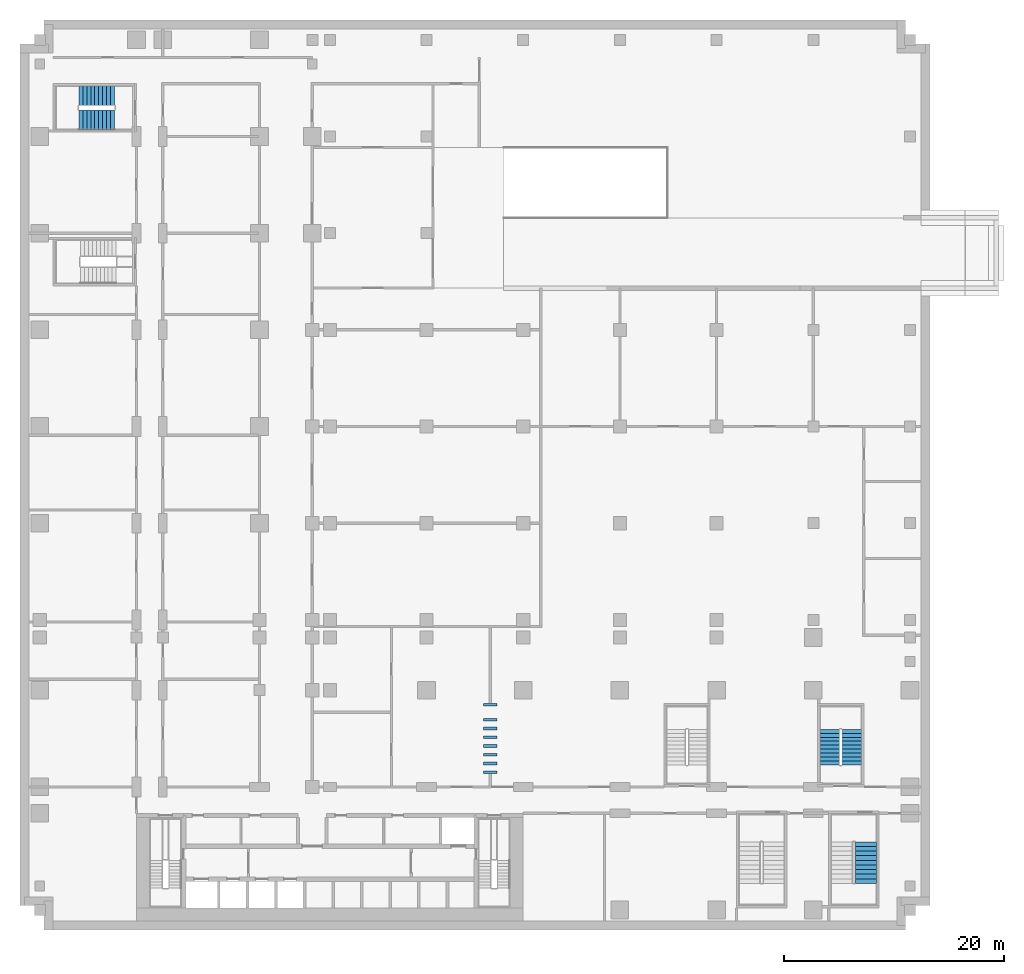
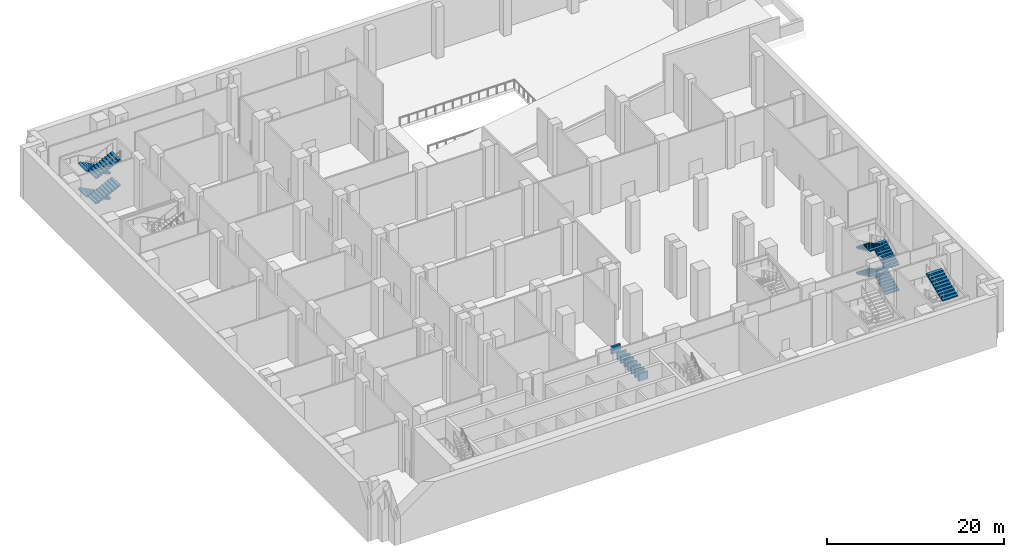
# One storey, part 10 of 15: 9 stair flights, 8 discrete accessories, 3 elements without a shape of their own.
"""IFC4 building model written with IfcOpenShell, lengths in metres."""

from ifc_helpers import new_model, si_unit, direction, frame, origin, origin_2d, place, context, subcontext, project, spatial, polyline, rectangle, outline, extrude, source, transform, mapped, material, type_object, element, aggregate, save


model = new_model("IFC4")

# Units and contexts
model_context = context("Model", 3, precision=1e-05, world=origin(), true_north=direction((0.0, 1.0)))
body_context = subcontext(model_context, "Body", "Model", "MODEL_VIEW")
ifc_project = project(units=[si_unit("LENGTHUNIT", "METRE"), si_unit("AREAUNIT", "SQUARE_METRE"), si_unit("VOLUMEUNIT", "CUBIC_METRE"), si_unit("PLANEANGLEUNIT", "RADIAN"), si_unit("MASSUNIT", "GRAM", prefix="KILO")], contexts=[model_context])

# Site, building, storey
site_placement = place(None, origin())
site = spatial("IfcSite", under=ifc_project, at=site_placement, CompositionType="ELEMENT")
building_placement = place(site_placement, origin())
building = spatial("IfcBuilding", under=site, at=building_placement, Name="Kemantara Hotel Tower", CompositionType="ELEMENT")
storey_placement = place(building_placement, frame((0.0, 0.0, -7.0)))
storey = spatial("IfcBuildingStorey", under=building, at=storey_placement, Name="B1", CompositionType="ELEMENT", Elevation=-7.0)

# Stair, stair flights
ifc_material_1 = material(Name="Concrete fc 40 MPa", Category="concrete")
stair_type_1 = type_object("IfcStairType", Name="Stair 1800 wide 40 risers of 175 x 360 mm", PredefinedType="HALF_TURN_STAIR", material=ifc_material_1)
stair_1_placement = place(storey_placement, origin())
stair_1 = element("IfcStair", 1, at=stair_1_placement, inside=storey, type_object=stair_type_1, Name="B1 Exit stair ST5", PredefinedType="HALF_TURN_STAIR")
stair_flight_type_1 = type_object("IfcStairFlightType", Name="Stair flight 1800 wide 175 x 360 mm", PredefinedType="STRAIGHT", material=ifc_material_1)
stair_flight_1_placement = place(storey_placement, frame((74.89990234375, 14.199951171875, 0.0), z_axis=(0.0, 0.0, 1.0), x_axis=(0.0, 1.0, 0.0)))
stair_flight_1 = element("IfcStairFlight", 2, at=stair_flight_1_placement, type_object=stair_flight_type_1, Name="ST5 flight 1", NumberOfRisers=10, NumberOfTreads=9, PredefinedType="STRAIGHT", RiserHeight=0.175, TreadLength=0.36, context=body_context, shape_type="SweptSolid", body=[
    extrude(outline(polyline([(0.0, 0.0), (0.0, 0.175048828125), (0.360107421875, 0.175048828125), (0.360107421875, 0.35009765625), (0.719970703125, 0.35009765625), (0.719970703125, 0.52490234375), (1.080078125, 0.52490234375), (1.080078125, 0.699951171875), (1.43994140625, 0.699951171875), (1.43994140625, 0.875), (1.800048828125, 0.875), (1.800048828125, 1.050048828125), (2.159912109375, 1.050048828125), (2.159912109375, 1.22509765625), (2.52001953125, 1.22509765625), (2.52001953125, 1.39990234375), (2.8798828125, 1.39990234375), (2.8798828125, 1.574951171875), (3.239990234375, 1.574951171875), (3.239990234375, 1.75), (3.239990234375, 1.408203125), (0.3427734375, 0.0), (0.0, 0.0)])), frame((0.0, 0.89990234375, 0.0), z_axis=(0.0, -1.0, 0.0), x_axis=(1.0, 0.0, 0.0)), (0.0, 0.0, 1.0), 1.800048828125),
])
stair_flight_2_placement = place(storey_placement, frame((72.89990234375, 17.43994140625, 1.75), z_axis=(0.0, 0.0, 1.0), x_axis=(0.0, -1.0, 0.0)))
stair_flight_2 = element("IfcStairFlight", 3, at=stair_flight_2_placement, type_object=stair_flight_type_1, Name="ST5 flight 2", NumberOfRisers=10, NumberOfTreads=9, PredefinedType="STRAIGHT", RiserHeight=0.175, TreadLength=0.36, context=body_context, shape_type="SweptSolid", body=[
    extrude(outline(polyline([(0.0, 0.0), (0.0, 0.175048828125), (0.360107421875, 0.175048828125), (0.360107421875, 0.35009765625), (0.719970703125, 0.35009765625), (0.719970703125, 0.52490234375), (1.080078125, 0.52490234375), (1.080078125, 0.699951171875), (1.43994140625, 0.699951171875), (1.43994140625, 0.875), (1.800048828125, 0.875), (1.800048828125, 1.050048828125), (2.159912109375, 1.050048828125), (2.159912109375, 1.22509765625), (2.52001953125, 1.22509765625), (2.52001953125, 1.39990234375), (2.8798828125, 1.39990234375), (2.8798828125, 1.574951171875), (3.239990234375, 1.574951171875), (3.239990234375, 1.75), (3.239990234375, 1.408203125), (0.3427734375, 0.0), (0.0, 0.0)])), frame((0.0, 0.89990234375, 0.0), z_axis=(0.0, -1.0, 0.0), x_axis=(1.0, 0.0, 0.0)), (0.0, 0.0, 1.0), 1.800048828125),
])
stair_flight_3_placement = place(storey_placement, frame((74.89990234375, 14.199951171875, 3.5), z_axis=(0.0, 0.0, 1.0), x_axis=(0.0, 1.0, 0.0)))
stair_flight_3 = element("IfcStairFlight", 4, at=stair_flight_3_placement, type_object=stair_flight_type_1, Name="ST5 flight 3", NumberOfRisers=10, NumberOfTreads=9, PredefinedType="STRAIGHT", RiserHeight=0.175, TreadLength=0.36, context=body_context, shape_type="SweptSolid", body=[
    extrude(outline(polyline([(0.0, 0.0), (0.0, 0.175048828125), (0.360107421875, 0.175048828125), (0.360107421875, 0.35009765625), (0.719970703125, 0.35009765625), (0.719970703125, 0.52490234375), (1.080078125, 0.52490234375), (1.080078125, 0.699951171875), (1.43994140625, 0.699951171875), (1.43994140625, 0.875), (1.800048828125, 0.875), (1.800048828125, 1.050048828125), (2.159912109375, 1.050048828125), (2.159912109375, 1.22509765625), (2.52001953125, 1.22509765625), (2.52001953125, 1.39990234375), (2.8798828125, 1.39990234375), (2.8798828125, 1.574951171875), (3.239990234375, 1.574951171875), (3.239990234375, 1.75), (3.239990234375, 1.408203125), (0.3427734375, 0.0), (0.0, 0.0)])), frame((0.0, 0.89990234375, 0.0), z_axis=(0.0, -1.0, 0.0), x_axis=(1.0, 0.0, 0.0)), (0.0, 0.0, 1.0), 1.800048828125),
])
stair_flight_4_placement = place(storey_placement, frame((72.89990234375, 17.43994140625, 5.25), z_axis=(0.0, 0.0, 1.0), x_axis=(0.0, -1.0, 0.0)))
stair_flight_4 = element("IfcStairFlight", 5, at=stair_flight_4_placement, type_object=stair_flight_type_1, Name="ST5 flight 4", NumberOfRisers=10, NumberOfTreads=9, PredefinedType="STRAIGHT", RiserHeight=0.175, TreadLength=0.36, context=body_context, shape_type="SweptSolid", body=[
    extrude(outline(polyline([(0.0, 0.0), (0.0, 0.175048828125), (0.360107421875, 0.175048828125), (0.360107421875, 0.35009765625), (0.719970703125, 0.35009765625), (0.719970703125, 0.52490234375), (1.080078125, 0.52490234375), (1.080078125, 0.699951171875), (1.43994140625, 0.699951171875), (1.43994140625, 0.875), (1.800048828125, 0.875), (1.800048828125, 1.050048828125), (2.159912109375, 1.050048828125), (2.159912109375, 1.22509765625), (2.52001953125, 1.22509765625), (2.52001953125, 1.39990234375), (2.8798828125, 1.39990234375), (2.8798828125, 1.574951171875), (3.239990234375, 1.574951171875), (3.239990234375, 1.75), (3.239990234375, 1.408203125), (0.3427734375, 0.0), (0.0, 0.0)])), frame((0.0, 0.89990234375, 0.0), z_axis=(0.0, -1.0, 0.0), x_axis=(1.0, 0.0, 0.0)), (0.0, 0.0, 1.0), 1.800048828125),
])
aggregate(stair_1, [stair_flight_1, stair_flight_2, stair_flight_3, stair_flight_4])

stair_2_placement = place(storey_placement, origin())
stair_2 = element("IfcStair", 6, at=stair_2_placement, inside=storey, type_object=stair_type_1, Name="B1 Exit stair ST6", PredefinedType="HALF_TURN_STAIR")
stair_flight_5_placement = place(storey_placement, frame((7.800048828125, 75.10009765625, 0.0), z_axis=(0.0, 0.0, 1.0), x_axis=(-1.0, 0.0, 0.0)))
stair_flight_5 = element("IfcStairFlight", 7, at=stair_flight_5_placement, type_object=stair_flight_type_1, Name="ST6 flight 1", NumberOfRisers=10, NumberOfTreads=9, PredefinedType="STRAIGHT", RiserHeight=0.175, TreadLength=0.36, context=body_context, shape_type="SweptSolid", body=[
    extrude(outline(polyline([(0.0, 0.0), (0.0, 0.175048828125), (0.360107421875, 0.175048828125), (0.360107421875, 0.35009765625), (0.719970703125, 0.35009765625), (0.719970703125, 0.52490234375), (1.080078125, 0.52490234375), (1.080078125, 0.699951171875), (1.43994140625, 0.699951171875), (1.43994140625, 0.875), (1.800048828125, 0.875), (1.800048828125, 1.050048828125), (2.159912109375, 1.050048828125), (2.159912109375, 1.22509765625), (2.52001953125, 1.22509765625), (2.52001953125, 1.39990234375), (2.8798828125, 1.39990234375), (2.8798828125, 1.574951171875), (3.239990234375, 1.574951171875), (3.239990234375, 1.75), (3.239990234375, 1.408203125), (0.3427734375, 0.0), (0.0, 0.0)])), frame((0.0, 0.89990234375, 0.0), z_axis=(0.0, -1.0, 0.0), x_axis=(1.0, 0.0, 0.0)), (0.0, 0.0, 1.0), 1.800048828125),
])
stair_flight_6_placement = place(storey_placement, frame((4.56005859375, 72.89990234375, 1.75), z_axis=(0.0, 0.0, 1.0), x_axis=(1.0, 0.0, 0.0)))
stair_flight_6 = element("IfcStairFlight", 8, at=stair_flight_6_placement, type_object=stair_flight_type_1, Name="ST6 flight 2", NumberOfRisers=10, NumberOfTreads=9, PredefinedType="STRAIGHT", RiserHeight=0.175, TreadLength=0.36, context=body_context, shape_type="SweptSolid", body=[
    extrude(outline(polyline([(0.0, 0.0), (0.0, 0.175048828125), (0.360107421875, 0.175048828125), (0.360107421875, 0.35009765625), (0.719970703125, 0.35009765625), (0.719970703125, 0.52490234375), (1.080078125, 0.52490234375), (1.080078125, 0.699951171875), (1.43994140625, 0.699951171875), (1.43994140625, 0.875), (1.800048828125, 0.875), (1.800048828125, 1.050048828125), (2.159912109375, 1.050048828125), (2.159912109375, 1.22509765625), (2.52001953125, 1.22509765625), (2.52001953125, 1.39990234375), (2.8798828125, 1.39990234375), (2.8798828125, 1.574951171875), (3.239990234375, 1.574951171875), (3.239990234375, 1.75), (3.239990234375, 1.408203125), (0.3427734375, 0.0), (0.0, 0.0)])), frame((0.0, 0.89990234375, 0.0), z_axis=(0.0, -1.0, 0.0), x_axis=(1.0, 0.0, 0.0)), (0.0, 0.0, 1.0), 1.800048828125),
])
stair_flight_7_placement = place(storey_placement, frame((7.800048828125, 75.10009765625, 3.5), z_axis=(0.0, 0.0, 1.0), x_axis=(-1.0, 0.0, 0.0)))
stair_flight_7 = element("IfcStairFlight", 9, at=stair_flight_7_placement, type_object=stair_flight_type_1, Name="ST6 flight 3", NumberOfRisers=10, NumberOfTreads=9, PredefinedType="STRAIGHT", RiserHeight=0.175, TreadLength=0.36, context=body_context, shape_type="SweptSolid", body=[
    extrude(outline(polyline([(0.0, 0.0), (0.0, 0.175048828125), (0.360107421875, 0.175048828125), (0.360107421875, 0.35009765625), (0.719970703125, 0.35009765625), (0.719970703125, 0.52490234375), (1.080078125, 0.52490234375), (1.080078125, 0.699951171875), (1.43994140625, 0.699951171875), (1.43994140625, 0.875), (1.800048828125, 0.875), (1.800048828125, 1.050048828125), (2.159912109375, 1.050048828125), (2.159912109375, 1.22509765625), (2.52001953125, 1.22509765625), (2.52001953125, 1.39990234375), (2.8798828125, 1.39990234375), (2.8798828125, 1.574951171875), (3.239990234375, 1.574951171875), (3.239990234375, 1.75), (3.239990234375, 1.408203125), (0.3427734375, 0.0), (0.0, 0.0)])), frame((0.0, 0.89990234375, 0.0), z_axis=(0.0, -1.0, 0.0), x_axis=(1.0, 0.0, 0.0)), (0.0, 0.0, 1.0), 1.800048828125),
])
stair_flight_8_placement = place(storey_placement, frame((4.56005859375, 72.89990234375, 5.25), z_axis=(0.0, 0.0, 1.0), x_axis=(1.0, 0.0, 0.0)))
stair_flight_8 = element("IfcStairFlight", 10, at=stair_flight_8_placement, type_object=stair_flight_type_1, Name="ST6 flight 4", NumberOfRisers=10, NumberOfTreads=9, PredefinedType="STRAIGHT", RiserHeight=0.175, TreadLength=0.36, context=body_context, shape_type="SweptSolid", body=[
    extrude(outline(polyline([(0.0, 0.0), (0.0, 0.175048828125), (0.360107421875, 0.175048828125), (0.360107421875, 0.35009765625), (0.719970703125, 0.35009765625), (0.719970703125, 0.52490234375), (1.080078125, 0.52490234375), (1.080078125, 0.699951171875), (1.43994140625, 0.699951171875), (1.43994140625, 0.875), (1.800048828125, 0.875), (1.800048828125, 1.050048828125), (2.159912109375, 1.050048828125), (2.159912109375, 1.22509765625), (2.52001953125, 1.22509765625), (2.52001953125, 1.39990234375), (2.8798828125, 1.39990234375), (2.8798828125, 1.574951171875), (3.239990234375, 1.574951171875), (3.239990234375, 1.75), (3.239990234375, 1.408203125), (0.3427734375, 0.0), (0.0, 0.0)])), frame((0.0, 0.89990234375, 0.0), z_axis=(0.0, -1.0, 0.0), x_axis=(1.0, 0.0, 0.0)), (0.0, 0.0, 1.0), 1.800048828125),
])
aggregate(stair_2, [stair_flight_5, stair_flight_6, stair_flight_7, stair_flight_8])

# Stair, stair flight
stair_type_2 = type_object("IfcStairType", Name="Stair 2000 wide 40 risers of 175 x 420 mm", PredefinedType="HALF_TURN_STAIR", material=ifc_material_1)
stair_3_placement = place(storey_placement, origin())
stair_3 = element("IfcStair", 11, at=stair_3_placement, inside=storey, type_object=stair_type_2, Name="B1 Stair PS5", PredefinedType="HALF_TURN_STAIR")
stair_flight_type_2 = type_object("IfcStairFlightType", Name="Stair flight 2000 wide 175 x 420 mm", PredefinedType="STRAIGHT", material=ifc_material_1)
stair_flight_9_placement = place(storey_placement, frame((76.199951171875, 3.419921875, 5.25), z_axis=(0.0, 0.0, 1.0), x_axis=(0.0, 1.0, 0.0)))
stair_flight_9 = element("IfcStairFlight", 12, at=stair_flight_9_placement, type_object=stair_flight_type_2, Name="PS5 flight 4", NumberOfRisers=10, NumberOfTreads=9, PredefinedType="STRAIGHT", RiserHeight=0.175, TreadLength=0.42, context=body_context, shape_type="SweptSolid", body=[
    extrude(outline(polyline([(0.0, 0.0), (0.0, 0.175048828125), (0.419921875, 0.175048828125), (0.419921875, 0.35009765625), (0.840087890625, 0.35009765625), (0.840087890625, 0.52490234375), (1.260009765625, 0.52490234375), (1.260009765625, 0.699951171875), (1.679931640625, 0.699951171875), (1.679931640625, 0.875), (2.10009765625, 0.875), (2.10009765625, 1.050048828125), (2.52001953125, 1.050048828125), (2.52001953125, 1.22509765625), (2.93994140625, 1.22509765625), (2.93994140625, 1.39990234375), (3.360107421875, 1.39990234375), (3.360107421875, 1.574951171875), (3.780029296875, 1.574951171875), (3.780029296875, 1.75), (3.780029296875, 1.41259765625), (0.3896484375, 0.0), (0.0, 0.0)])), frame((0.0, 1.0, 0.0), z_axis=(0.0, -1.0, 0.0), x_axis=(1.0, 0.0, 0.0)), (0.0, 0.0, 1.0), 2.0),
])
aggregate(stair_3, [stair_flight_9])

# Discrete accessories
ifc_material_2 = material(Name="Stainless steel", Category="steel")
discrete_accessory_type = type_object("IfcDiscreteAccessoryType", Name="FARE GATE PEDESTAL", PredefinedType="USERDEFINED", material=ifc_material_2)
shared_shape = source(origin(), body_context, "Body", "SweptSolid", [
    extrude(rectangle(XDim=1.199951171875, YDim=0.25, at=origin_2d()), origin(), (0.0, 0.0, 1.0), 1.0),
])
for number, where, z_axis, x_axis, name in (
    (13, (42.0, 13.52490234375, 0.0), (0.0, 0.0, 1.0), (1.0, 0.0, 0.0), "FARE GATE PEDESTAL"),
    (14, (42.0, 14.324951171875, 0.0), (0.0, 0.0, 1.0), (1.0, 0.0, 0.0), "FARE GATE PEDESTAL"),
    (15, (42.0, 15.125, 0.0), (0.0, 0.0, 1.0), (1.0, 0.0, 0.0), "FARE GATE PEDESTAL"),
    (16, (42.0, 15.925048828125, 0.0), (0.0, 0.0, 1.0), (1.0, 0.0, 0.0), "FARE GATE PEDESTAL"),
    (17, (42.0, 16.72509765625, 0.0), (0.0, 0.0, 1.0), (1.0, 0.0, 0.0), "FARE GATE PEDESTAL"),
    (18, (42.0, 17.52490234375, 0.0), (0.0, 0.0, 1.0), (1.0, 0.0, 0.0), "FARE GATE PEDESTAL"),
    (19, (42.0, 18.324951171875, 0.0), (0.0, 0.0, 1.0), (1.0, 0.0, 0.0), "FARE GATE PEDESTAL"),
    (20, (42.0, 19.675048828125, 0.0), (0.0, 0.0, 1.0), (1.0, 0.0, 0.0), "FARE GATE PEDESTAL"),
):
    element("IfcDiscreteAccessory", number, at=place(storey_placement, frame(where, z_axis=z_axis, x_axis=x_axis)), inside=storey, type_object=discrete_accessory_type, Name=name, ObjectType="FARE GATE", PredefinedType="USERDEFINED", context=body_context, shape_type="MappedRepresentation", body=[
        mapped(shared_shape, transform((0.0, 0.0, 0.0))),
    ])

save(model, "model.ifc")
